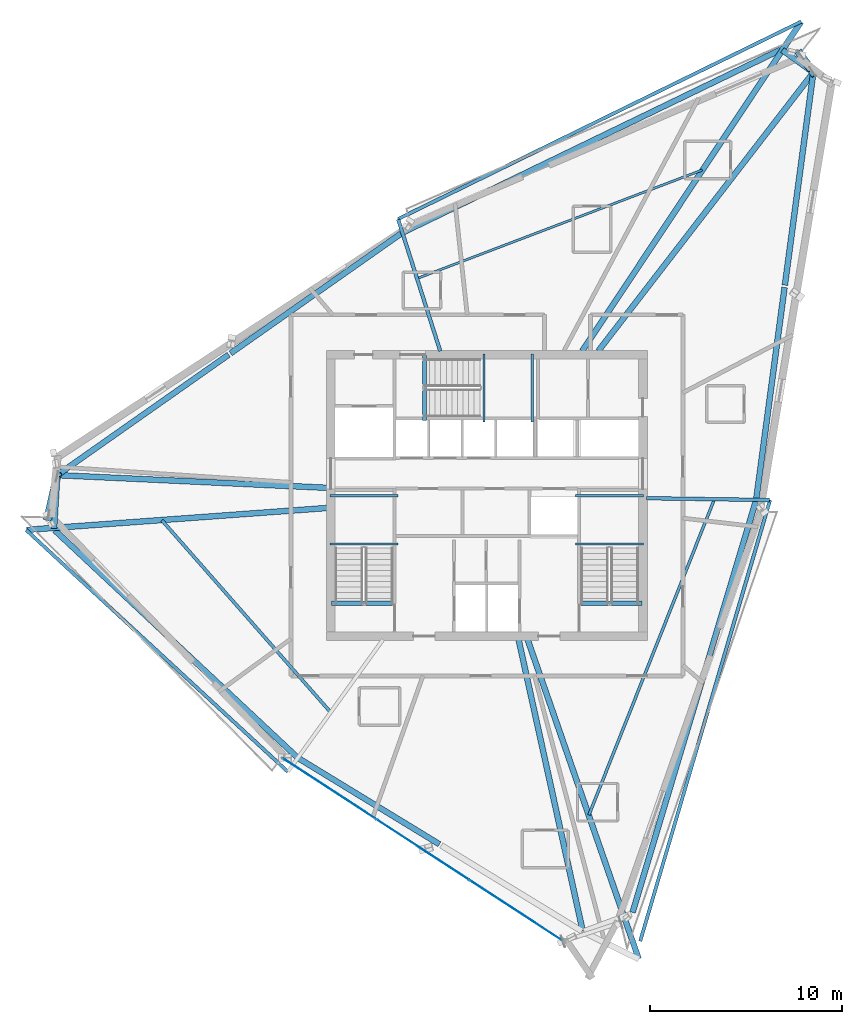
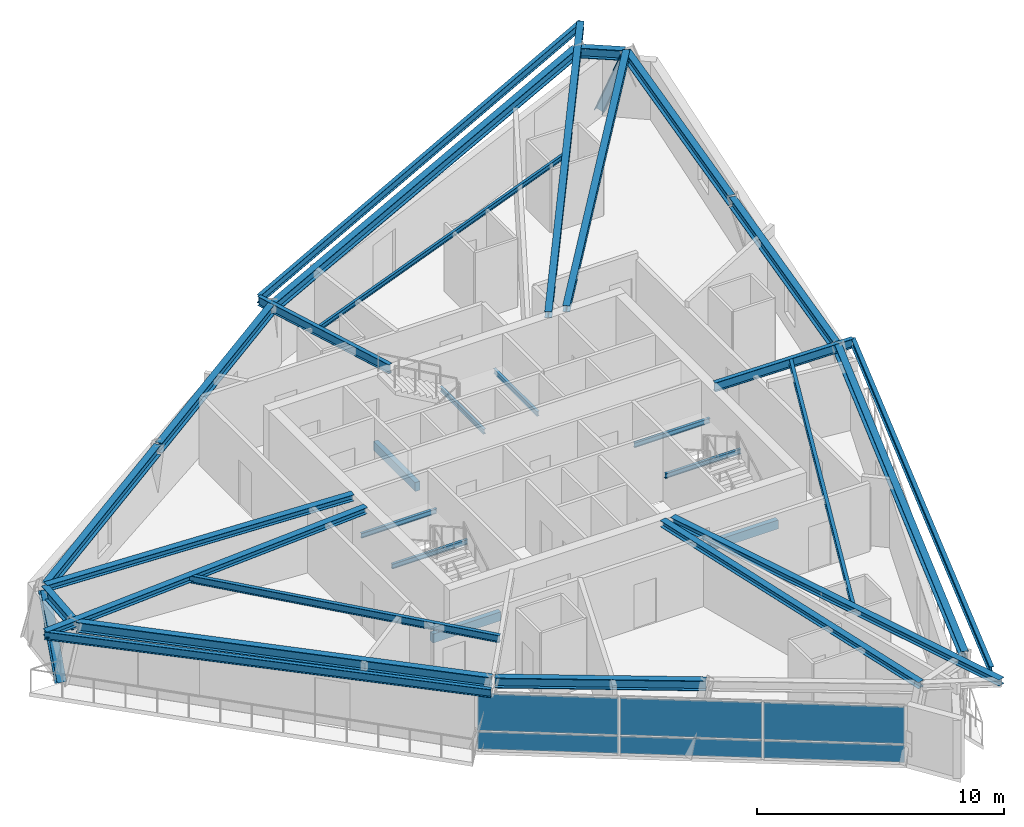
# One storey, part 4 of 14: 33 beams, 6 plates, 2 members, 1 element without a shape of its own.
"""IFC4 building model written with IfcOpenShell, lengths in metres."""

from ifc_helpers import new_model, si_unit, direction, frame, origin, origin_2d, place, context, subcontext, project, spatial, rectangle, i_section, extrude, source, transform, mapped, material, material_profile, profile_set, type_object, element, aggregate, save


model = new_model("IFC4")

# Units and contexts
model_context = context("Model", 3, precision=1e-05, world=origin(), true_north=direction((0.0, 1.0)))
body_context = subcontext(model_context, "Body", "Model", "MODEL_VIEW")
ifc_project = project(units=[si_unit("LENGTHUNIT", "METRE"), si_unit("AREAUNIT", "SQUARE_METRE"), si_unit("VOLUMEUNIT", "CUBIC_METRE"), si_unit("PLANEANGLEUNIT", "RADIAN"), si_unit("MASSUNIT", "GRAM", prefix="KILO")], contexts=[model_context])

# Site, building, storey
site_placement = place(None, origin())
site = spatial("IfcSite", under=ifc_project, at=site_placement, CompositionType="ELEMENT")
building_placement = place(site_placement, origin())
building = spatial("IfcBuilding", under=site, at=building_placement, Name="Olszyna Solenne Hotel", CompositionType="ELEMENT")
storey_placement = place(building_placement, frame((0.0, 0.0, 252.5)))
storey = spatial("IfcBuildingStorey", under=building, at=storey_placement, Name="L67", CompositionType="ELEMENT", Elevation=252.5)

# Beams
ifc_material_1 = material(Name="Steel S355J2", Category="steel")
ifc_material_profile_1 = material_profile(ifc_material_1, i_section(OverallWidth=0.300048828125, OverallDepth=0.5, WebThickness=0.014404296875, FlangeThickness=0.028076171875, at=origin_2d()), Name="HEB 500", Category="load-bearing")
ifc_profile_set_1 = profile_set([ifc_material_profile_1], Name="Steel S355J2")
beam_type_1 = type_object("IfcBeamType", Name="BM-S3", PredefinedType="BEAM", material=ifc_profile_set_1)
shared_shape_1 = source(origin(), body_context, "Body", "SweptSolid", [
    extrude(i_section(OverallWidth=0.300048828125, OverallDepth=0.5, WebThickness=0.014404296875, FlangeThickness=0.028076171875, at=origin_2d()), origin(), (0.0, 0.0, 1.0), 1.9306640625),
])
beam_1_placement = place(storey_placement, frame((54.942138671875, 48.642822265625, 3.1298828125), z_axis=(-0.810525822576, 0.585702903303, 0.0), x_axis=(-0.585702903303, -0.810525822576, 0.0)))
element("IfcBeam", 1, at=beam_1_placement, inside=storey, type_object=beam_type_1, Name="Perimeter spandrel beam BM-S3 B-L67-1970", PredefinedType="BEAM", context=body_context, shape_type="MappedRepresentation", body=[
    mapped(shared_shape_1, transform((0.0, 0.0, 0.0), x_axis=(1.0, 0.0, 0.0), y_axis=(0.0, 1.0, 0.0), z_axis=(0.0, 0.0, 1.0), scale=1.0)),
])
shared_shape_2 = source(origin(), body_context, "Body", "SweptSolid", [
    extrude(i_section(OverallWidth=0.300048828125, OverallDepth=0.5, WebThickness=0.014404296875, FlangeThickness=0.028076171875, at=origin_2d()), origin(), (0.0, 0.0, 1.0), 21.810546875),
])
beam_2_placement = place(storey_placement, frame((53.2744140625, 49.78271484375, 3.1298828125), z_axis=(-0.900226629036, -0.435421653543, 0.0), x_axis=(0.435421653543, -0.900226629036, 0.0)))
element("IfcBeam", 2, at=beam_2_placement, inside=storey, type_object=beam_type_1, Name="Perimeter spandrel beam BM-S3 B-L67-1971", PredefinedType="BEAM", context=body_context, shape_type="MappedRepresentation", body=[
    mapped(shared_shape_2, transform((0.0, 0.0, 0.0), x_axis=(1.0, 0.0, 0.0), y_axis=(0.0, 1.0, 0.0), z_axis=(0.0, 0.0, 1.0), scale=1.0)),
])
shared_shape_3 = source(origin(), body_context, "Body", "SweptSolid", [
    extrude(i_section(OverallWidth=0.300048828125, OverallDepth=0.5, WebThickness=0.014404296875, FlangeThickness=0.028076171875, at=origin_2d()), origin(), (0.0, 0.0, 1.0), 10.845458984375),
])
for number, where, z_axis, x_axis, name in (
    (3, (33.536865234375, 40.22509765625, 3.1298828125), (-0.818203717173, -0.574928410504, 0.0), (0.574928410504, -0.818203717173, 0.0), "Perimeter spandrel beam BM-S3 B-L67-1972"),
    (4, (24.56494140625, 33.9208984375, 3.1298828125), (-0.818185686538, -0.57495406977, 0.0), (0.57495406977, -0.818185686538, 0.0), "Perimeter spandrel beam BM-S3 B-L67-1973"),
):
    element("IfcBeam", number, at=place(storey_placement, frame(where, z_axis=z_axis, x_axis=x_axis)), inside=storey, type_object=beam_type_1, Name=name, PredefinedType="BEAM", context=body_context, shape_type="MappedRepresentation", body=[
        mapped(shared_shape_3, transform((0.0, 0.0, 0.0), x_axis=(1.0, 0.0, 0.0), y_axis=(0.0, 1.0, 0.0), z_axis=(0.0, 0.0, 1.0), scale=1.0)),
    ])
shared_shape_4 = source(origin(), body_context, "Body", "SweptSolid", [
    extrude(i_section(OverallWidth=0.300048828125, OverallDepth=0.5, WebThickness=0.014404296875, FlangeThickness=0.028076171875, at=origin_2d()), origin(), (0.0, 0.0, 1.0), 2.72216796875),
])
beam_3_placement = place(storey_placement, frame((15.638671875, 27.591064453125, 3.1298828125), z_axis=(-0.059284580586, -0.998241122427, 0.0), x_axis=(0.998241122427, -0.059284580586, 0.0)))
element("IfcBeam", 5, at=beam_3_placement, inside=storey, type_object=beam_type_1, Name="Perimeter spandrel beam BM-S3 B-L67-1974", PredefinedType="BEAM", context=body_context, shape_type="MappedRepresentation", body=[
    mapped(shared_shape_4, transform((0.0, 0.0, 0.0), x_axis=(1.0, 0.0, 0.0), y_axis=(0.0, 1.0, 0.0), z_axis=(0.0, 0.0, 1.0), scale=1.0)),
])
shared_shape_5 = source(origin(), body_context, "Body", "SweptSolid", [
    extrude(i_section(OverallWidth=0.300048828125, OverallDepth=0.5, WebThickness=0.014404296875, FlangeThickness=0.028076171875, at=origin_2d()), origin(), (0.0, 0.0, 1.0), 17.259765625),
])
beam_4_placement = place(storey_placement, frame((15.517578125, 24.772705078125, 3.1298828125), z_axis=(0.730053980884, -0.683389482649, 0.0), x_axis=(0.683389482649, 0.730053980884, 0.0)))
element("IfcBeam", 6, at=beam_4_placement, inside=storey, type_object=beam_type_1, Name="Perimeter spandrel beam BM-S3 B-L67-1975", PredefinedType="BEAM", context=body_context, shape_type="MappedRepresentation", body=[
    mapped(shared_shape_5, transform((0.0, 0.0, 0.0), x_axis=(1.0, 0.0, 0.0), y_axis=(0.0, 1.0, 0.0), z_axis=(0.0, 0.0, 1.0), scale=1.0)),
])
shared_shape_6 = source(origin(), body_context, "Body", "SweptSolid", [
    extrude(i_section(OverallWidth=0.300048828125, OverallDepth=0.5, WebThickness=0.014404296875, FlangeThickness=0.028076171875, at=origin_2d()), origin(), (0.0, 0.0, 1.0), 8.570068359375),
])
beam_5_placement = place(storey_placement, frame((28.213134765625, 12.9052734375, 3.1298828125), z_axis=(0.853656239991, -0.520836849622, 0.0), x_axis=(0.520836849622, 0.853656239991, 0.0)))
element("IfcBeam", 7, at=beam_5_placement, inside=storey, type_object=beam_type_1, Name="Perimeter spandrel beam BM-S3 B-L67-1976", PredefinedType="BEAM", context=body_context, shape_type="MappedRepresentation", body=[
    mapped(shared_shape_6, transform((0.0, 0.0, 0.0), x_axis=(1.0, 0.0, 0.0), y_axis=(0.0, 1.0, 0.0), z_axis=(0.0, 0.0, 1.0), scale=1.0)),
])
shared_shape_7 = source(origin(), body_context, "Body", "SweptSolid", [
    extrude(i_section(OverallWidth=0.300048828125, OverallDepth=0.5, WebThickness=0.014404296875, FlangeThickness=0.028076171875, at=origin_2d()), origin(), (0.0, 0.0, 1.0), 22.33837890625),
])
beam_6_placement = place(storey_placement, frame((45.58349609375, 4.891845703125, 3.1298828125), z_axis=(0.287066120606, 0.95791076954, 0.0), x_axis=(-0.95791076954, 0.287066120606, 0.0)))
element("IfcBeam", 8, at=beam_6_placement, inside=storey, type_object=beam_type_1, Name="Perimeter spandrel beam BM-S3 B-L67-1979", PredefinedType="BEAM", context=body_context, shape_type="MappedRepresentation", body=[
    mapped(shared_shape_7, transform((0.0, 0.0, 0.0), x_axis=(1.0, 0.0, 0.0), y_axis=(0.0, 1.0, 0.0), z_axis=(0.0, 0.0, 1.0), scale=1.0)),
])
shared_shape_8 = source(origin(), body_context, "Body", "SweptSolid", [
    extrude(i_section(OverallWidth=0.300048828125, OverallDepth=0.5, WebThickness=0.014404296875, FlangeThickness=0.028076171875, at=origin_2d()), origin(), (0.0, 0.0, 1.0), 11.109130859375),
])
beam_7_placement = place(storey_placement, frame((52.021484375, 26.406982421875, 3.1298828125), z_axis=(0.132539419963, 0.991177734897, 0.0), x_axis=(-0.991177734897, 0.132539419963, 0.0)))
element("IfcBeam", 9, at=beam_7_placement, inside=storey, type_object=beam_type_1, Name="Perimeter spandrel beam BM-S3 B-L67-1980", PredefinedType="BEAM", context=body_context, shape_type="MappedRepresentation", body=[
    mapped(shared_shape_8, transform((0.0, 0.0, 0.0), x_axis=(1.0, 0.0, 0.0), y_axis=(0.0, 1.0, 0.0), z_axis=(0.0, 0.0, 1.0), scale=1.0)),
])
shared_shape_9 = source(origin(), body_context, "Body", "SweptSolid", [
    extrude(i_section(OverallWidth=0.300048828125, OverallDepth=0.5, WebThickness=0.014404296875, FlangeThickness=0.028076171875, at=origin_2d()), origin(), (0.0, 0.0, 1.0), 11.109375),
])
beam_8_placement = place(storey_placement, frame((53.510009765625, 37.537109375, 3.1298828125), z_axis=(0.132561010175, 0.991174847634, 0.0), x_axis=(-0.991174847634, 0.132561010175, 0.0)))
element("IfcBeam", 10, at=beam_8_placement, inside=storey, type_object=beam_type_1, Name="Perimeter spandrel beam BM-S3 B-L67-1981", PredefinedType="BEAM", context=body_context, shape_type="MappedRepresentation", body=[
    mapped(shared_shape_9, transform((0.0, 0.0, 0.0), x_axis=(1.0, 0.0, 0.0), y_axis=(0.0, 1.0, 0.0), z_axis=(0.0, 0.0, 1.0), scale=1.0)),
])
ifc_material_profile_2 = material_profile(ifc_material_1, i_section(OverallWidth=0.300048828125, OverallDepth=0.31005859375, WebThickness=0.009033203125, FlangeThickness=0.015380859375, at=origin_2d()), Name="HEA 320", Category="load-bearing")
ifc_profile_set_2 = profile_set([ifc_material_profile_2], Name="Steel S355J2")
beam_type_2 = type_object("IfcBeamType", Name="BM-G3", PredefinedType="BEAM", material=ifc_profile_set_2)
shared_shape_10 = source(origin(), body_context, "Body", "SweptSolid", [
    extrude(i_section(OverallWidth=0.300048828125, OverallDepth=0.31005859375, WebThickness=0.009033203125, FlangeThickness=0.015380859375, at=origin_2d()), origin(), (0.0, 0.0, 1.0), 18.255126953125),
])
beam_9_placement = place(storey_placement, frame((54.9541015625, 48.560302734375, 3.22509765625), z_axis=(-0.611100693412, -0.791552867793, 0.0), x_axis=(0.791552867793, -0.611100693412, 0.0)))
element("IfcBeam", 11, at=beam_9_placement, inside=storey, type_object=beam_type_2, Name="Radial floor girder BM-G3 B-L67-1982", PredefinedType="BEAM", context=body_context, shape_type="MappedRepresentation", body=[
    mapped(shared_shape_10, transform((0.0, 0.0, 0.0), x_axis=(1.0, 0.0, 0.0), y_axis=(0.0, 1.0, 0.0), z_axis=(0.0, 0.0, 1.0), scale=1.0)),
])
shared_shape_11 = source(origin(), body_context, "Body", "SweptSolid", [
    extrude(i_section(OverallWidth=0.300048828125, OverallDepth=0.31005859375, WebThickness=0.009033203125, FlangeThickness=0.015380859375, at=origin_2d()), origin(), (0.0, 0.0, 1.0), 20.5751953125),
])
beam_10_placement = place(storey_placement, frame((54.353515625, 51.240478515625, 3.22509765625), z_axis=(-0.553796249929, -0.832652216453, 0.0), x_axis=(0.832652216453, -0.553796249929, 0.0)))
element("IfcBeam", 12, at=beam_10_placement, inside=storey, type_object=beam_type_2, Name="Radial floor girder BM-G3 B-L67-1983", PredefinedType="BEAM", context=body_context, shape_type="MappedRepresentation", body=[
    mapped(shared_shape_11, transform((0.0, 0.0, 0.0), x_axis=(1.0, 0.0, 0.0), y_axis=(0.0, 1.0, 0.0), z_axis=(0.0, 0.0, 1.0), scale=1.0)),
])
ifc_material_profile_3 = material_profile(ifc_material_1, i_section(OverallWidth=0.18994140625, OverallDepth=0.449951171875, WebThickness=0.009521484375, FlangeThickness=0.0146484375, at=origin_2d()), Name="IPE 450", Category="load-bearing")
ifc_profile_set_3 = profile_set([ifc_material_profile_3], Name="Steel S355J2")
beam_type_3 = type_object("IfcBeamType", Name="BM-F4", PredefinedType="BEAM", material=ifc_profile_set_3)
shared_shape_12 = source(origin(), body_context, "Body", "SweptSolid", [
    extrude(i_section(OverallWidth=0.18994140625, OverallDepth=0.449951171875, WebThickness=0.009521484375, FlangeThickness=0.0146484375, at=origin_2d()), origin(), (0.0, 0.0, 1.0), 7.197265625),
])
beam_11_placement = place(storey_placement, frame((33.38427734375, 40.957763671875, 3.155029296875), z_axis=(0.304480313865, -0.952518628935, 0.0), x_axis=(0.952518628935, 0.304480313865, 0.0)))
element("IfcBeam", 13, at=beam_11_placement, inside=storey, type_object=beam_type_3, Name="Radial floor girder BM-F4 B-L67-1984", PredefinedType="BEAM", context=body_context, shape_type="MappedRepresentation", body=[
    mapped(shared_shape_12, transform((0.0, 0.0, 0.0), x_axis=(1.0, 0.0, 0.0), y_axis=(0.0, 1.0, 0.0), z_axis=(0.0, 0.0, 1.0), scale=1.0)),
])
shared_shape_13 = source(origin(), body_context, "Body", "SweptSolid", [
    extrude(i_section(OverallWidth=0.300048828125, OverallDepth=0.31005859375, WebThickness=0.009033203125, FlangeThickness=0.015380859375, at=origin_2d()), origin(), (0.0, 0.0, 1.0), 14.01318359375),
])
beam_12_placement = place(storey_placement, frame((15.7021484375, 27.648193359375, 3.22509765625), z_axis=(0.998896300902, -0.046969990882, 0.0), x_axis=(0.046969990882, 0.998896300902, 0.0)))
element("IfcBeam", 14, at=beam_12_placement, inside=storey, type_object=beam_type_2, Name="Radial floor girder BM-G3 B-L67-1985", PredefinedType="BEAM", context=body_context, shape_type="MappedRepresentation", body=[
    mapped(shared_shape_13, transform((0.0, 0.0, 0.0), x_axis=(1.0, 0.0, 0.0), y_axis=(0.0, 1.0, 0.0), z_axis=(0.0, 0.0, 1.0), scale=1.0)),
])
shared_shape_14 = source(origin(), body_context, "Body", "SweptSolid", [
    extrude(i_section(OverallWidth=0.300048828125, OverallDepth=0.31005859375, WebThickness=0.009033203125, FlangeThickness=0.015380859375, at=origin_2d()), origin(), (0.0, 0.0, 1.0), 15.69921875),
])
beam_13_placement = place(storey_placement, frame((14.0419921875, 24.801025390625, 3.22509765625), z_axis=(0.99735600978, 0.072670418712, 0.0), x_axis=(-0.072670418712, 0.99735600978, 0.0)))
element("IfcBeam", 15, at=beam_13_placement, inside=storey, type_object=beam_type_2, Name="Radial floor girder BM-G3 B-L67-1986", PredefinedType="BEAM", context=body_context, shape_type="MappedRepresentation", body=[
    mapped(shared_shape_14, transform((0.0, 0.0, 0.0), x_axis=(1.0, 0.0, 0.0), y_axis=(0.0, 1.0, 0.0), z_axis=(0.0, 0.0, 1.0), scale=1.0)),
])
shared_shape_15 = source(origin(), body_context, "Body", "SweptSolid", [
    extrude(i_section(OverallWidth=0.300048828125, OverallDepth=0.31005859375, WebThickness=0.009033203125, FlangeThickness=0.015380859375, at=origin_2d()), origin(), (0.0, 0.0, 1.0), 15.518310546875),
])
beam_14_placement = place(storey_placement, frame((42.985595703125, 3.943115234375, 3.22509765625), z_axis=(-0.214904399771, 0.976635089969, 0.0), x_axis=(-0.976635089969, -0.214904399771, 0.0)))
element("IfcBeam", 16, at=beam_14_placement, inside=storey, type_object=beam_type_2, Name="Radial floor girder BM-G3 B-L67-1988", PredefinedType="BEAM", context=body_context, shape_type="MappedRepresentation", body=[
    mapped(shared_shape_15, transform((0.0, 0.0, 0.0), x_axis=(1.0, 0.0, 0.0), y_axis=(0.0, 1.0, 0.0), z_axis=(0.0, 0.0, 1.0), scale=1.0)),
])
shared_shape_16 = source(origin(), body_context, "Body", "SweptSolid", [
    extrude(i_section(OverallWidth=0.300048828125, OverallDepth=0.31005859375, WebThickness=0.009033203125, FlangeThickness=0.015380859375, at=origin_2d()), origin(), (0.0, 0.0, 1.0), 17.600830078125),
])
beam_15_placement = place(storey_placement, frame((45.9033203125, 2.474853515625, 3.22509765625), z_axis=(-0.328630373926, 0.944458615998, 0.0), x_axis=(-0.944458615998, -0.328630373926, 0.0)))
element("IfcBeam", 17, at=beam_15_placement, inside=storey, type_object=beam_type_2, Name="Radial floor girder BM-G3 B-L67-1989", PredefinedType="BEAM", context=body_context, shape_type="MappedRepresentation", body=[
    mapped(shared_shape_16, transform((0.0, 0.0, 0.0), x_axis=(1.0, 0.0, 0.0), y_axis=(0.0, 1.0, 0.0), z_axis=(0.0, 0.0, 1.0), scale=1.0)),
])
shared_shape_17 = source(origin(), body_context, "Body", "SweptSolid", [
    extrude(i_section(OverallWidth=0.18994140625, OverallDepth=0.449951171875, WebThickness=0.009521484375, FlangeThickness=0.0146484375, at=origin_2d()), origin(), (0.0, 0.0, 1.0), 6.419921875),
])
beam_16_placement = place(storey_placement, frame((52.71923828125, 26.35498046875, 3.155029296875), z_axis=(-0.999889446827, 0.014869234158, 0.0), x_axis=(-0.014869234158, -0.999889446827, 0.0)))
element("IfcBeam", 18, at=beam_16_placement, inside=storey, type_object=beam_type_3, Name="Radial floor girder BM-F4 B-L67-1990", PredefinedType="BEAM", context=body_context, shape_type="MappedRepresentation", body=[
    mapped(shared_shape_17, transform((0.0, 0.0, 0.0), x_axis=(1.0, 0.0, 0.0), y_axis=(0.0, 1.0, 0.0), z_axis=(0.0, 0.0, 1.0), scale=1.0)),
])
ifc_material_profile_4 = material_profile(ifc_material_1, i_section(OverallWidth=0.1201171875, OverallDepth=0.239990234375, WebThickness=0.006103515625, FlangeThickness=0.009765625, at=origin_2d()), Name="IPE 240", Category="load-bearing")
ifc_profile_set_4 = profile_set([ifc_material_profile_4], Name="Steel S355J2")
beam_type_4 = type_object("IfcBeamType", Name="JS-03", PredefinedType="JOIST", material=ifc_profile_set_4)
shared_shape_18 = source(origin(), body_context, "Body", "SweptSolid", [
    extrude(i_section(OverallWidth=0.1201171875, OverallDepth=0.239990234375, WebThickness=0.006103515625, FlangeThickness=0.009765625, at=origin_2d()), origin(), (0.0, 0.0, 1.0), 15.864990234375),
])
beam_17_placement = place(storey_placement, frame((49.21337890625, 43.533203125, 3.260009765625), z_axis=(-0.934609326245, -0.355675986392, 0.0), x_axis=(0.355675986392, -0.934609326245, 0.0)))
element("IfcBeam", 19, at=beam_17_placement, inside=storey, type_object=beam_type_4, Name="Secondary composite floor joist JS-03 B-L67-1992", PredefinedType="JOIST", context=body_context, shape_type="MappedRepresentation", body=[
    mapped(shared_shape_18, transform((0.0, 0.0, 0.0), x_axis=(1.0, 0.0, 0.0), y_axis=(0.0, 1.0, 0.0), z_axis=(0.0, 0.0, 1.0), scale=1.0)),
])
ifc_material_profile_5 = material_profile(ifc_material_1, i_section(OverallWidth=0.169921875, OverallDepth=0.360107421875, WebThickness=0.008056640625, FlangeThickness=0.0126953125, at=origin_2d()), Name="IPE 360", Category="load-bearing")
ifc_profile_set_5 = profile_set([ifc_material_profile_5], Name="Steel S355J2")
beam_type_5 = type_object("IfcBeamType", Name="JS-01", PredefinedType="JOIST", material=ifc_profile_set_5)
shared_shape_19 = source(origin(), body_context, "Body", "SweptSolid", [
    extrude(i_section(OverallWidth=0.169921875, OverallDepth=0.360107421875, WebThickness=0.008056640625, FlangeThickness=0.0126953125, at=origin_2d()), origin(), (0.0, 0.0, 1.0), 13.281494140625),
])
beam_18_placement = place(storey_placement, frame((21.090087890625, 25.298583984375, 3.199951171875), z_axis=(0.6601557807, -0.751128714142, 0.0), x_axis=(0.751128714142, 0.6601557807, 0.0)))
element("IfcBeam", 20, at=beam_18_placement, inside=storey, type_object=beam_type_5, Name="Secondary composite floor joist JS-01 B-L67-1993", PredefinedType="JOIST", context=body_context, shape_type="MappedRepresentation", body=[
    mapped(shared_shape_19, transform((0.0, 0.0, 0.0), x_axis=(1.0, 0.0, 0.0), y_axis=(0.0, 1.0, 0.0), z_axis=(0.0, 0.0, 1.0), scale=1.0)),
])
ifc_material_profile_6 = material_profile(ifc_material_1, i_section(OverallWidth=0.14990234375, OverallDepth=0.300048828125, WebThickness=0.007080078125, FlangeThickness=0.0107421875, at=origin_2d()), Name="IPE 300", Category="load-bearing")
ifc_profile_set_6 = profile_set([ifc_material_profile_6], Name="Steel S355J2")
beam_type_6 = type_object("IfcBeamType", Name="JS-02", PredefinedType="JOIST", material=ifc_profile_set_6)
shared_shape_20 = source(origin(), body_context, "Body", "SweptSolid", [
    extrude(i_section(OverallWidth=0.14990234375, OverallDepth=0.300048828125, WebThickness=0.007080078125, FlangeThickness=0.0107421875, at=origin_2d()), origin(), (0.0, 0.0, 1.0), 17.664306640625),
])
beam_19_placement = place(storey_placement, frame((43.311279296875, 9.96337890625, 3.22998046875), z_axis=(0.369273645181, 0.929320706202, 0.0), x_axis=(-0.929320706202, 0.369273645181, 0.0)))
element("IfcBeam", 21, at=beam_19_placement, inside=storey, type_object=beam_type_6, Name="Secondary composite floor joist JS-02 B-L67-1994", PredefinedType="JOIST", context=body_context, shape_type="MappedRepresentation", body=[
    mapped(shared_shape_20, transform((0.0, 0.0, 0.0), x_axis=(1.0, 0.0, 0.0), y_axis=(0.0, 1.0, 0.0), z_axis=(0.0, 0.0, 1.0), scale=1.0)),
])
ifc_material_profile_7 = material_profile(ifc_material_1, i_section(OverallWidth=0.179931640625, OverallDepth=0.39990234375, WebThickness=0.008544921875, FlangeThickness=0.013427734375, at=origin_2d()), Name="IPE 400", Category="load-bearing")
ifc_profile_set_7 = profile_set([ifc_material_profile_7], Name="Steel S355J2")
beam_type_7 = type_object("IfcBeamType", Name="BM-F5", PredefinedType="BEAM", material=ifc_profile_set_7)
shared_shape_21 = source(origin(), body_context, "Body", "SweptSolid", [
    extrude(i_section(OverallWidth=0.179931640625, OverallDepth=0.39990234375, WebThickness=0.008544921875, FlangeThickness=0.013427734375, at=origin_2d()), origin(), (0.0, 0.0, 1.0), 23.369140625),
])
beam_20_placement = place(storey_placement, frame((54.36474609375, 51.257080078125, 3.179931640625), z_axis=(-0.898043504393, -0.439906653982, 0.0), x_axis=(0.439906653982, -0.898043504393, 0.0)))
element("IfcBeam", 22, at=beam_20_placement, inside=storey, type_object=beam_type_7, Name="Loggia outer edge beam BM-F5 B-L67-1995", PredefinedType="BEAM", context=body_context, shape_type="MappedRepresentation", body=[
    mapped(shared_shape_21, transform((0.0, 0.0, 0.0), x_axis=(1.0, 0.0, 0.0), y_axis=(0.0, 1.0, 0.0), z_axis=(0.0, 0.0, 1.0), scale=1.0)),
])
shared_shape_22 = source(origin(), body_context, "Body", "SweptSolid", [
    extrude(i_section(OverallWidth=0.179931640625, OverallDepth=0.39990234375, WebThickness=0.008544921875, FlangeThickness=0.013427734375, at=origin_2d()), origin(), (0.0, 0.0, 1.0), 18.547119140625),
])
beam_21_placement = place(storey_placement, frame((14.02197265625, 24.799560546875, 3.179931640625), z_axis=(0.734443012999, -0.678670362294, 0.0), x_axis=(0.678670362294, 0.734443012999, 0.0)))
element("IfcBeam", 23, at=beam_21_placement, inside=storey, type_object=beam_type_7, Name="Loggia outer edge beam BM-F5 B-L67-1996", PredefinedType="BEAM", context=body_context, shape_type="MappedRepresentation", body=[
    mapped(shared_shape_22, transform((0.0, 0.0, 0.0), x_axis=(1.0, 0.0, 0.0), y_axis=(0.0, 1.0, 0.0), z_axis=(0.0, 0.0, 1.0), scale=1.0)),
])
shared_shape_23 = source(origin(), body_context, "Body", "SweptSolid", [
    extrude(i_section(OverallWidth=0.179931640625, OverallDepth=0.39990234375, WebThickness=0.008544921875, FlangeThickness=0.013427734375, at=origin_2d()), origin(), (0.0, 0.0, 1.0), 23.9287109375),
])
beam_22_placement = place(storey_placement, frame((45.981689453125, 3.400146484375, 3.179931640625), z_axis=(0.282405498009, 0.959295123877, 0.0), x_axis=(-0.959295123877, 0.282405498009, 0.0)))
element("IfcBeam", 24, at=beam_22_placement, inside=storey, type_object=beam_type_7, Name="Loggia outer edge beam BM-F5 B-L67-1997", PredefinedType="BEAM", context=body_context, shape_type="MappedRepresentation", body=[
    mapped(shared_shape_23, transform((0.0, 0.0, 0.0), x_axis=(1.0, 0.0, 0.0), y_axis=(0.0, 1.0, 0.0), z_axis=(0.0, 0.0, 1.0), scale=1.0)),
])

# Members
ifc_material_2 = material(Name="Steel S460M", Category="steel")
ifc_material_profile_8 = material_profile(ifc_material_2, i_section(OverallWidth=0.40087890625, OverallDepth=0.39892578125, WebThickness=0.02197265625, FlangeThickness=0.034423828125, at=origin_2d()), Name="HD 400x314", Category="load-bearing")
ifc_profile_set_8 = profile_set([ifc_material_profile_8], Name="Steel S460M")
member_type = type_object("IfcMemberType", Name="BR-T3", PredefinedType="BRACE", material=ifc_profile_set_8)
shared_shape_24 = source(origin(), body_context, "Body", "SweptSolid", [
    extrude(i_section(OverallWidth=0.40087890625, OverallDepth=0.39892578125, WebThickness=0.02197265625, FlangeThickness=0.034423828125, at=origin_2d()), origin(), (0.0, 0.0, 1.0), 3.312255859375),
])
member_1_placement = place(storey_placement, frame((54.29931640625, 49.564208984375, 0.010009765625), z_axis=(0.208738424463, -0.288710596265, 0.934384536343), x_axis=(0.81037907185, 0.585905930937, 0.0)))
element("IfcMember", 25, at=member_1_placement, inside=storey, type_object=member_type, Name="Perimeter braced-tube diagonal BR-T3 BR-L67-1", PredefinedType="BRACE", context=body_context, shape_type="MappedRepresentation", body=[
    mapped(shared_shape_24, transform((0.0, 0.0, 0.0), x_axis=(1.0, 0.0, 0.0), y_axis=(0.0, 1.0, 0.0), z_axis=(0.0, 0.0, 1.0), scale=1.0)),
])
shared_shape_25 = source(origin(), body_context, "Body", "SweptSolid", [
    extrude(i_section(OverallWidth=0.40087890625, OverallDepth=0.39892578125, WebThickness=0.02197265625, FlangeThickness=0.034423828125, at=origin_2d()), origin(), (0.0, 0.0, 1.0), 3.82177734375),
])
member_2_placement = place(storey_placement, frame((15.15380859375, 25.46240234375, 0.010009765625), z_axis=(0.127759767668, 0.572619278687, 0.809805287363), x_axis=(-0.976002251393, 0.217760430922, 0.0)))
element("IfcMember", 26, at=member_2_placement, inside=storey, type_object=member_type, Name="Perimeter braced-tube diagonal BR-T3 BR-L67-2", PredefinedType="BRACE", context=body_context, shape_type="MappedRepresentation", body=[
    mapped(shared_shape_25, transform((0.0, 0.0, 0.0), x_axis=(1.0, 0.0, 0.0), y_axis=(0.0, 1.0, 0.0), z_axis=(0.0, 0.0, 1.0), scale=1.0)),
])

# Beams
shared_shape_26 = source(origin(), body_context, "Body", "SweptSolid", [
    extrude(i_section(OverallWidth=0.1201171875, OverallDepth=0.239990234375, WebThickness=0.006103515625, FlangeThickness=0.009765625, at=origin_2d()), origin(), (0.0, 0.0, 1.0), 3.539794921875),
])
for number, where, z_axis, x_axis, name in (
    (27, (33.3798828125, 24.070068359375, 1.47509765625), (-1.0, 0.0, 0.0), (0.0, -1.0, 0.0), "Stair landing support beam JS-03 SLB-ST1-0139"),
    (28, (33.3798828125, 26.580078125, 1.47509765625), (-1.0, 0.0, 0.0), (0.0, -1.0, 0.0), "Stair landing support beam JS-03 SLB-ST1-0140"),
    (29, (46.159912109375, 24.070068359375, 1.47509765625), (-1.0, 0.0, 0.0), (0.0, -1.0, 0.0), "Stair landing support beam JS-03 SLB-ST2-0379"),
    (30, (46.159912109375, 26.580078125, 1.47509765625), (-1.0, 0.0, 0.0), (0.0, -1.0, 0.0), "Stair landing support beam JS-03 SLB-ST2-0380"),
):
    element("IfcBeam", number, at=place(storey_placement, frame(where, z_axis=z_axis, x_axis=x_axis)), inside=storey, type_object=beam_type_4, Name=name, PredefinedType="JOIST", context=body_context, shape_type="MappedRepresentation", body=[
        mapped(shared_shape_26, transform((0.0, 0.0, 0.0), x_axis=(1.0, 0.0, 0.0), y_axis=(0.0, 1.0, 0.0), z_axis=(0.0, 0.0, 1.0), scale=1.0)),
    ])
ifc_material_3 = material(Name="Concrete C50/60", Category="concrete")
ifc_material_profile_9 = material_profile(ifc_material_3, rectangle(XDim=0.219970703125, YDim=0.43994140625, at=origin_2d()), Name="RC 220x440", Category="load-bearing")
ifc_profile_set_9 = profile_set([ifc_material_profile_9], Name="Concrete C50/60")
beam_type_8 = type_object("IfcBeamType", Name="BM-ST1", PredefinedType="BEAM", material=ifc_profile_set_9)
shared_shape_27 = source(origin(), body_context, "Body", "SweptSolid", [
    extrude(rectangle(XDim=0.219970703125, YDim=0.43994140625, at=origin_2d()), origin(), (0.0, 0.0, 1.0), 3.18017578125),
])
for number, where, z_axis, x_axis, name in (
    (31, (33.10009765625, 20.97998046875, -0.205078125), (-1.0, 0.0, 0.0), (0.0, -1.0, 0.0), "Concrete stair trimmer beam BM-ST1 SHB-ST1-0229"),
    (32, (46.080078125, 20.97998046875, -0.205078125), (-1.0, 0.0, 0.0), (0.0, -1.0, 0.0), "Concrete stair trimmer beam BM-ST1 SHB-ST2-0469"),
):
    element("IfcBeam", number, at=place(storey_placement, frame(where, z_axis=z_axis, x_axis=x_axis)), inside=storey, type_object=beam_type_8, Name=name, PredefinedType="BEAM", context=body_context, shape_type="MappedRepresentation", body=[
        mapped(shared_shape_27, transform((0.0, 0.0, 0.0), x_axis=(1.0, 0.0, 0.0), y_axis=(0.0, 1.0, 0.0), z_axis=(0.0, 0.0, 1.0), scale=1.0)),
    ])
shared_shape_28 = source(origin(), body_context, "Body", "SweptSolid", [
    extrude(i_section(OverallWidth=0.1201171875, OverallDepth=0.239990234375, WebThickness=0.006103515625, FlangeThickness=0.009765625, at=origin_2d()), origin(), (0.0, 0.0, 1.0), 3.5400390625),
])
for number, where, z_axis, x_axis, name in (
    (33, (37.85009765625, 30.419921875, 1.47509765625), (0.0, 1.0, 0.0), (-1.0, 0.0, 0.0), "Stair landing support beam JS-03 SLB-ST3-0619"),
    (34, (40.360107421875, 30.419921875, 1.47509765625), (0.0, 1.0, 0.0), (-1.0, 0.0, 0.0), "Stair landing support beam JS-03 SLB-ST3-0620"),
):
    element("IfcBeam", number, at=place(storey_placement, frame(where, z_axis=z_axis, x_axis=x_axis)), inside=storey, type_object=beam_type_4, Name=name, PredefinedType="JOIST", context=body_context, shape_type="MappedRepresentation", body=[
        mapped(shared_shape_28, transform((0.0, 0.0, 0.0), x_axis=(1.0, 0.0, 0.0), y_axis=(0.0, 1.0, 0.0), z_axis=(0.0, 0.0, 1.0), scale=1.0)),
    ])
shared_shape_29 = source(origin(), body_context, "Body", "SweptSolid", [
    extrude(rectangle(XDim=0.219970703125, YDim=0.43994140625, at=origin_2d()), origin(), (0.0, 0.0, 1.0), 3.3798828125),
])
beam_23_placement = place(storey_placement, frame((34.760009765625, 30.5, -0.205078125), z_axis=(0.0, 1.0, 0.0), x_axis=(-1.0, 0.0, 0.0)))
element("IfcBeam", 35, at=beam_23_placement, inside=storey, type_object=beam_type_8, Name="Concrete stair trimmer beam BM-ST1 SHB-ST3-0707", PredefinedType="BEAM", context=body_context, shape_type="MappedRepresentation", body=[
    mapped(shared_shape_29, transform((0.0, 0.0, 0.0), x_axis=(1.0, 0.0, 0.0), y_axis=(0.0, 1.0, 0.0), z_axis=(0.0, 0.0, 1.0), scale=1.0)),
])

# Curtain wall, plates
ifc_material_4 = material(Name="Anodised bronze aluminium", Category="aluminium")
curtain_wall_type = type_object("IfcCurtainWallType", Name="CW-SYS-4", PredefinedType="NOTDEFINED", material=ifc_material_4)
curtain_wall_placement = place(storey_placement, origin())
curtain_wall = element("IfcCurtainWall", 36, at=curtain_wall_placement, inside=storey, type_object=curtain_wall_type, Name="Unitised curtain wall CW-SYS-4 CW-L67-01", PredefinedType="NOTDEFINED")
ifc_material_5 = material(Name="Terracotta cladding", Category="masonry")
plate_type_1 = type_object("IfcPlateType", Name="PN-SP1", PredefinedType="CURTAIN_PANEL", material=ifc_material_5)
shared_shape_30 = source(origin(), body_context, "Body", "SweptSolid", [
    extrude(rectangle(XDim=5.727294921875, YDim=0.035888671875, at=origin_2d()), origin(), (0.0, 0.0, 1.0), 0.8525390625),
])
plate_1_placement = place(storey_placement, frame((29.794189453125, 11.33984375, 0.06494140625), z_axis=(0.0, 0.0, 1.0), x_axis=(0.837518937537, -0.546408299047, 0.0)))
plate_1 = element("IfcPlate", 37, at=plate_1_placement, type_object=plate_type_1, Name="Curtain-wall panel PN-SP1 CP-L67-01-01", PredefinedType="CURTAIN_PANEL", context=body_context, shape_type="MappedRepresentation", body=[
    mapped(shared_shape_30, transform((0.0, 0.0, 0.0), x_axis=(1.0, 0.0, 0.0), y_axis=(0.0, 1.0, 0.0), z_axis=(0.0, 0.0, 1.0), scale=1.0)),
])
plate_2_placement = place(storey_placement, frame((39.5234375, 4.992431640625, 0.06494140625), z_axis=(0.0, 0.0, 1.0), x_axis=(0.837518937537, -0.546408299047, 0.0)))
plate_2 = element("IfcPlate", 38, at=plate_2_placement, type_object=plate_type_1, Name="Curtain-wall panel PN-SP1 CP-L67-01-05", PredefinedType="CURTAIN_PANEL", context=body_context, shape_type="MappedRepresentation", body=[
    mapped(shared_shape_30, transform((0.0, 0.0, 0.0), x_axis=(1.0, 0.0, 0.0), y_axis=(0.0, 1.0, 0.0), z_axis=(0.0, 0.0, 1.0), scale=1.0)),
])
ifc_material_6 = material(Name="Low-E triple glazing", Category="glass")
plate_type_2 = type_object("IfcPlateType", Name="PN-GL1", PredefinedType="CURTAIN_PANEL", material=ifc_material_6)
shared_shape_31 = source(origin(), body_context, "Body", "SweptSolid", [
    extrude(rectangle(XDim=5.727294921875, YDim=0.035888671875, at=origin_2d()), origin(), (0.0, 0.0, 1.0), 1.824462890625),
])
plate_3_placement = place(storey_placement, frame((29.794189453125, 11.33984375, 0.982421875), z_axis=(0.0, 0.0, 1.0), x_axis=(0.837518937537, -0.546408299047, 0.0)))
plate_3 = element("IfcPlate", 39, at=plate_3_placement, type_object=plate_type_2, Name="Curtain-wall panel PN-GL1 CP-L67-01-02", PredefinedType="CURTAIN_PANEL", context=body_context, shape_type="MappedRepresentation", body=[
    mapped(shared_shape_31, transform((0.0, 0.0, 0.0), x_axis=(1.0, 0.0, 0.0), y_axis=(0.0, 1.0, 0.0), z_axis=(0.0, 0.0, 1.0), scale=1.0)),
])
plate_4_placement = place(storey_placement, frame((39.5234375, 4.992431640625, 0.982421875), z_axis=(0.0, 0.0, 1.0), x_axis=(0.837518937537, -0.546408299047, 0.0)))
plate_4 = element("IfcPlate", 40, at=plate_4_placement, type_object=plate_type_2, Name="Curtain-wall panel PN-GL1 CP-L67-01-06", PredefinedType="CURTAIN_PANEL", context=body_context, shape_type="MappedRepresentation", body=[
    mapped(shared_shape_31, transform((0.0, 0.0, 0.0), x_axis=(1.0, 0.0, 0.0), y_axis=(0.0, 1.0, 0.0), z_axis=(0.0, 0.0, 1.0), scale=1.0)),
])
shared_shape_32 = source(origin(), body_context, "Body", "SweptSolid", [
    extrude(rectangle(XDim=5.759765625, YDim=0.035888671875, at=origin_2d()), origin(), (0.0, 0.0, 1.0), 0.8525390625),
])
plate_5_placement = place(storey_placement, frame((34.658935546875, 8.166015625, 0.06494140625), z_axis=(0.0, 0.0, 1.0), x_axis=(0.837518937537, -0.546408299047, 0.0)))
plate_5 = element("IfcPlate", 41, at=plate_5_placement, type_object=plate_type_1, Name="Curtain-wall panel PN-SP1 CP-L67-01-03", PredefinedType="CURTAIN_PANEL", context=body_context, shape_type="MappedRepresentation", body=[
    mapped(shared_shape_32, transform((0.0, 0.0, 0.0), x_axis=(1.0, 0.0, 0.0), y_axis=(0.0, 1.0, 0.0), z_axis=(0.0, 0.0, 1.0), scale=1.0)),
])
shared_shape_33 = source(origin(), body_context, "Body", "SweptSolid", [
    extrude(rectangle(XDim=5.759765625, YDim=0.035888671875, at=origin_2d()), origin(), (0.0, 0.0, 1.0), 1.824462890625),
])
plate_6_placement = place(storey_placement, frame((34.658935546875, 8.166015625, 0.982421875), z_axis=(0.0, 0.0, 1.0), x_axis=(0.837518937537, -0.546408299047, 0.0)))
plate_6 = element("IfcPlate", 42, at=plate_6_placement, type_object=plate_type_2, Name="Curtain-wall panel PN-GL1 CP-L67-01-04", PredefinedType="CURTAIN_PANEL", context=body_context, shape_type="MappedRepresentation", body=[
    mapped(shared_shape_33, transform((0.0, 0.0, 0.0), x_axis=(1.0, 0.0, 0.0), y_axis=(0.0, 1.0, 0.0), z_axis=(0.0, 0.0, 1.0), scale=1.0)),
])
aggregate(curtain_wall, [plate_1, plate_3, plate_5, plate_6, plate_2, plate_4])

save(model, "model.ifc")
